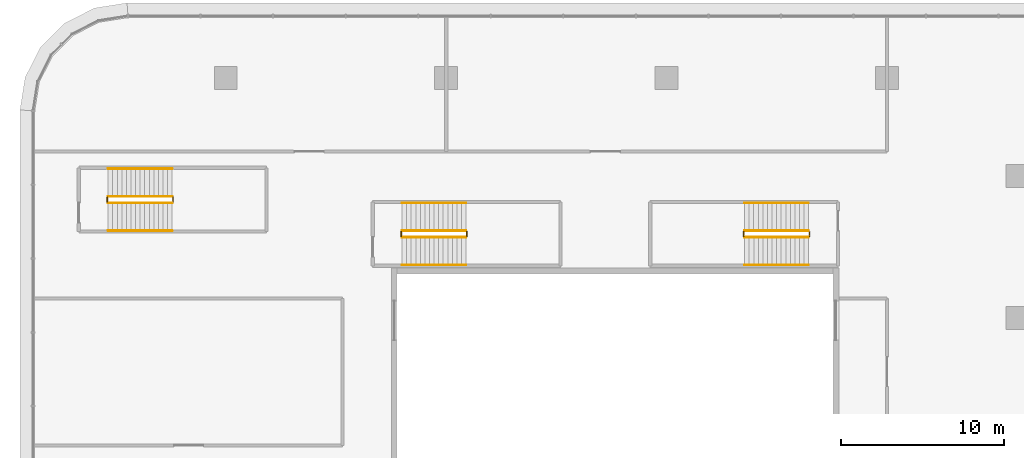
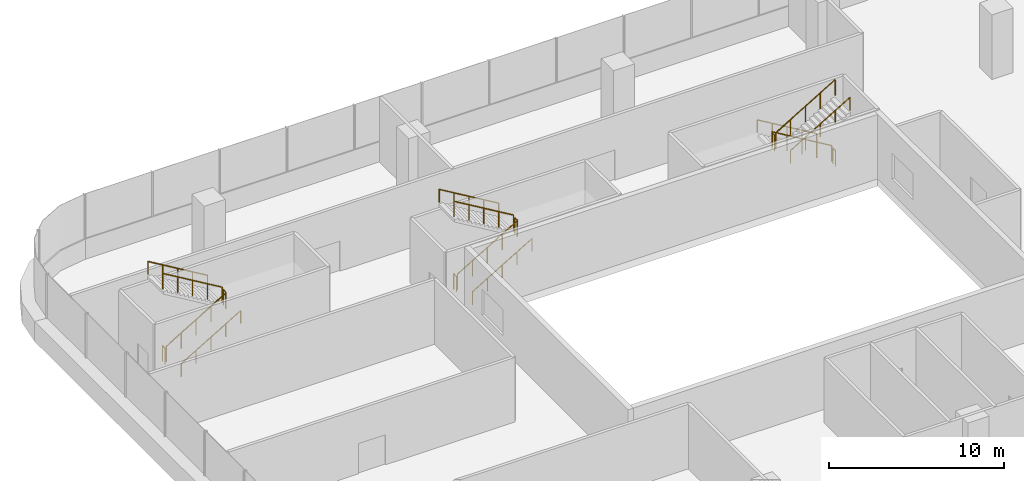
# One storey, part 42 of 44: 18 railings.
"""IFC4 building model written with IfcOpenShell, lengths in metres."""

from ifc_helpers import new_model, si_unit, direction, frame, origin, origin_2d, place, context, subcontext, project, spatial, circle, extrude, material, type_object, element, save


model = new_model("IFC4")

# Units and contexts
model_context = context("Model", 3, precision=1e-05, world=origin(), true_north=direction((0.0, 1.0)))
body_context = subcontext(model_context, "Body", "Model", "MODEL_VIEW")
ifc_project = project(units=[si_unit("LENGTHUNIT", "METRE"), si_unit("AREAUNIT", "SQUARE_METRE"), si_unit("VOLUMEUNIT", "CUBIC_METRE"), si_unit("PLANEANGLEUNIT", "RADIAN"), si_unit("MASSUNIT", "GRAM", prefix="KILO")], contexts=[model_context])

# Site, building, storey
site_placement = place(None, origin())
site = spatial("IfcSite", under=ifc_project, at=site_placement, CompositionType="ELEMENT")
building_placement = place(site_placement, origin())
building = spatial("IfcBuilding", under=site, at=building_placement, Name="Tamarind Cross Interchange Tower", CompositionType="ELEMENT")
storey_placement = place(building_placement, frame((0.0, 0.0, 15.0)))
storey = spatial("IfcBuildingStorey", under=building, at=storey_placement, Name="L02", CompositionType="ELEMENT", Elevation=15.0)

# Railings
ifc_material_1 = material(Name="Public stair guard")
railing_type_1 = type_object("IfcRailingType", Name="Public stair guard", PredefinedType="GUARDRAIL", material=ifc_material_1)
railing_1_placement = place(storey_placement, frame((-43.199951171875, 44.25, 0.166748046875)))
element("IfcRailing", 1, at=railing_1_placement, inside=storey, type_object=railing_type_1, Name="L02 XS-P04 stair guard 1", PredefinedType="GUARDRAIL", context=body_context, shape_type="SweptSolid", body=[
    extrude(circle(Radius=0.02392578125, at=origin_2d()), frame((0.0, 0.0, 1.076171875), z_axis=(0.859296244711, 0.0, 0.511478214419), x_axis=(0.0, 1.0, 0.0)), (0.0, 0.0, 1.0), 4.561767578125),
    extrude(circle(Radius=0.02099609375, at=origin_2d()), origin(), (0.0, 0.0, 1.0), 1.052001953125),
    extrude(circle(Radius=0.02099609375, at=origin_2d()), frame((0.97998046875, 0.0, 0.583251953125)), (0.0, 0.0, 1.0), 1.052001953125),
    extrude(circle(Radius=0.02099609375, at=origin_2d()), frame((1.9599609375, 0.0, 1.16650390625)), (0.0, 0.0, 1.0), 1.052001953125),
    extrude(circle(Radius=0.02099609375, at=origin_2d()), frame((2.93994140625, 0.0, 1.75)), (0.0, 0.0, 1.0), 1.052001953125),
    extrude(circle(Radius=0.02099609375, at=origin_2d()), frame((3.919921875, 0.0, 2.333251953125)), (0.0, 0.0, 1.0), 1.052001953125),
])
railing_2_placement = place(storey_placement, frame((-39.22998046875, 44.300048828125, 2.5)))
element("IfcRailing", 2, at=railing_2_placement, inside=storey, type_object=railing_type_1, Name="L02 XS-P04 stair guard 2", PredefinedType="GUARDRAIL", context=body_context, shape_type="SweptSolid", body=[
    extrude(circle(Radius=0.02392578125, at=origin_2d()), frame((0.0, 0.0, 1.076171875), z_axis=(0.0, 1.0, 0.0), x_axis=(-1.0, 0.0, 0.0)), (0.0, 0.0, 1.0), 0.300048828125),
    extrude(circle(Radius=0.02099609375, at=origin_2d()), origin(), (0.0, 0.0, 1.0), 1.052001953125),
    extrude(circle(Radius=0.02099609375, at=origin_2d()), frame((0.0, 0.300048828125, 0.0)), (0.0, 0.0, 1.0), 1.052001953125),
])
railing_3_placement = place(storey_placement, frame((-39.280029296875, 44.64990234375, 2.666748046875)))
element("IfcRailing", 3, at=railing_3_placement, inside=storey, type_object=railing_type_1, Name="L02 XS-P04 stair guard 3", PredefinedType="GUARDRAIL", context=body_context, shape_type="SweptSolid", body=[
    extrude(circle(Radius=0.02392578125, at=origin_2d()), frame((0.0, 0.0, 1.076171875), z_axis=(-0.859296244711, 0.0, 0.511478214419), x_axis=(0.0, -1.0, 0.0)), (0.0, 0.0, 1.0), 4.561767578125),
    extrude(circle(Radius=0.02099609375, at=origin_2d()), origin(), (0.0, 0.0, 1.0), 1.052001953125),
    extrude(circle(Radius=0.02099609375, at=origin_2d()), frame((-0.97998046875, 0.0, 0.583251953125)), (0.0, 0.0, 1.0), 1.052001953125),
    extrude(circle(Radius=0.02099609375, at=origin_2d()), frame((-1.9599609375, 0.0, 1.16650390625)), (0.0, 0.0, 1.0), 1.052001953125),
    extrude(circle(Radius=0.02099609375, at=origin_2d()), frame((-2.93994140625, 0.0, 1.75)), (0.0, 0.0, 1.0), 1.052001953125),
    extrude(circle(Radius=0.02099609375, at=origin_2d()), frame((-3.919921875, 0.0, 2.333251953125)), (0.0, 0.0, 1.0), 1.052001953125),
])
railing_4_placement = place(storey_placement, frame((-43.25, 44.300048828125, 0.0)))
element("IfcRailing", 4, at=railing_4_placement, inside=storey, type_object=railing_type_1, Name="L02 XS-P04 stair guard 4", PredefinedType="GUARDRAIL", context=body_context, shape_type="SweptSolid", body=[
    extrude(circle(Radius=0.02392578125, at=origin_2d()), frame((0.0, 0.0, 1.076171875), z_axis=(0.0, 1.0, 0.0), x_axis=(-1.0, 0.0, 0.0)), (0.0, 0.0, 1.0), 0.300048828125),
    extrude(circle(Radius=0.02099609375, at=origin_2d()), origin(), (0.0, 0.0, 1.0), 1.052001953125),
    extrude(circle(Radius=0.02099609375, at=origin_2d()), frame((0.0, 0.300048828125, 0.0)), (0.0, 0.0, 1.0), 1.052001953125),
])
railing_5_placement = place(storey_placement, frame((-61.199951171875, 46.35009765625, 0.166748046875)))
element("IfcRailing", 5, at=railing_5_placement, inside=storey, type_object=railing_type_1, Name="L02 XS-P05 stair guard 1", PredefinedType="GUARDRAIL", context=body_context, shape_type="SweptSolid", body=[
    extrude(circle(Radius=0.02392578125, at=origin_2d()), frame((0.0, 0.0, 1.076171875), z_axis=(0.859296244711, 0.0, 0.511478214419), x_axis=(0.0, 1.0, 0.0)), (0.0, 0.0, 1.0), 4.561767578125),
    extrude(circle(Radius=0.02099609375, at=origin_2d()), origin(), (0.0, 0.0, 1.0), 1.052001953125),
    extrude(circle(Radius=0.02099609375, at=origin_2d()), frame((0.97998046875, 0.0, 0.583251953125)), (0.0, 0.0, 1.0), 1.052001953125),
    extrude(circle(Radius=0.02099609375, at=origin_2d()), frame((1.9599609375, 0.0, 1.16650390625)), (0.0, 0.0, 1.0), 1.052001953125),
    extrude(circle(Radius=0.02099609375, at=origin_2d()), frame((2.93994140625, 0.0, 1.75)), (0.0, 0.0, 1.0), 1.052001953125),
    extrude(circle(Radius=0.02099609375, at=origin_2d()), frame((3.919921875, 0.0, 2.333251953125)), (0.0, 0.0, 1.0), 1.052001953125),
])
railing_6_placement = place(storey_placement, frame((-57.22998046875, 46.39990234375, 2.5)))
element("IfcRailing", 6, at=railing_6_placement, inside=storey, type_object=railing_type_1, Name="L02 XS-P05 stair guard 2", PredefinedType="GUARDRAIL", context=body_context, shape_type="SweptSolid", body=[
    extrude(circle(Radius=0.02392578125, at=origin_2d()), frame((0.0, 0.0, 1.076171875), z_axis=(0.0, 1.0, 0.0), x_axis=(-1.0, 0.0, 0.0)), (0.0, 0.0, 1.0), 0.300048828125),
    extrude(circle(Radius=0.02099609375, at=origin_2d()), origin(), (0.0, 0.0, 1.0), 1.052001953125),
    extrude(circle(Radius=0.02099609375, at=origin_2d()), frame((0.0, 0.300048828125, 0.0)), (0.0, 0.0, 1.0), 1.052001953125),
])
railing_7_placement = place(storey_placement, frame((-57.280029296875, 46.75, 2.666748046875)))
element("IfcRailing", 7, at=railing_7_placement, inside=storey, type_object=railing_type_1, Name="L02 XS-P05 stair guard 3", PredefinedType="GUARDRAIL", context=body_context, shape_type="SweptSolid", body=[
    extrude(circle(Radius=0.02392578125, at=origin_2d()), frame((0.0, 0.0, 1.076171875), z_axis=(-0.859296244711, 0.0, 0.511478214419), x_axis=(0.0, -1.0, 0.0)), (0.0, 0.0, 1.0), 4.561767578125),
    extrude(circle(Radius=0.02099609375, at=origin_2d()), origin(), (0.0, 0.0, 1.0), 1.052001953125),
    extrude(circle(Radius=0.02099609375, at=origin_2d()), frame((-0.97998046875, 0.0, 0.583251953125)), (0.0, 0.0, 1.0), 1.052001953125),
    extrude(circle(Radius=0.02099609375, at=origin_2d()), frame((-1.9599609375, 0.0, 1.16650390625)), (0.0, 0.0, 1.0), 1.052001953125),
    extrude(circle(Radius=0.02099609375, at=origin_2d()), frame((-2.93994140625, 0.0, 1.75)), (0.0, 0.0, 1.0), 1.052001953125),
    extrude(circle(Radius=0.02099609375, at=origin_2d()), frame((-3.919921875, 0.0, 2.333251953125)), (0.0, 0.0, 1.0), 1.052001953125),
])
railing_8_placement = place(storey_placement, frame((-61.25, 46.39990234375, 0.0)))
element("IfcRailing", 8, at=railing_8_placement, inside=storey, type_object=railing_type_1, Name="L02 XS-P05 stair guard 4", PredefinedType="GUARDRAIL", context=body_context, shape_type="SweptSolid", body=[
    extrude(circle(Radius=0.02392578125, at=origin_2d()), frame((0.0, 0.0, 1.076171875), z_axis=(0.0, 1.0, 0.0), x_axis=(-1.0, 0.0, 0.0)), (0.0, 0.0, 1.0), 0.300048828125),
    extrude(circle(Radius=0.02099609375, at=origin_2d()), origin(), (0.0, 0.0, 1.0), 1.052001953125),
    extrude(circle(Radius=0.02099609375, at=origin_2d()), frame((0.0, 0.300048828125, 0.0)), (0.0, 0.0, 1.0), 1.052001953125),
])
railing_9_placement = place(storey_placement, frame((-18.300048828125, 44.64990234375, 0.166748046875)))
element("IfcRailing", 9, at=railing_9_placement, inside=storey, type_object=railing_type_1, Name="L02 XS-P06 stair guard 1", PredefinedType="GUARDRAIL", context=body_context, shape_type="SweptSolid", body=[
    extrude(circle(Radius=0.02392578125, at=origin_2d()), frame((0.0, 0.0, 1.076171875), z_axis=(-0.859296244711, 0.0, 0.511478214419), x_axis=(0.0, -1.0, 0.0)), (0.0, 0.0, 1.0), 4.561767578125),
    extrude(circle(Radius=0.02099609375, at=origin_2d()), origin(), (0.0, 0.0, 1.0), 1.052001953125),
    extrude(circle(Radius=0.02099609375, at=origin_2d()), frame((-0.97998046875, 0.0, 0.583251953125)), (0.0, 0.0, 1.0), 1.052001953125),
    extrude(circle(Radius=0.02099609375, at=origin_2d()), frame((-1.9599609375, 0.0, 1.16650390625)), (0.0, 0.0, 1.0), 1.052001953125),
    extrude(circle(Radius=0.02099609375, at=origin_2d()), frame((-2.93994140625, 0.0, 1.75)), (0.0, 0.0, 1.0), 1.052001953125),
    extrude(circle(Radius=0.02099609375, at=origin_2d()), frame((-3.919921875, 0.0, 2.333251953125)), (0.0, 0.0, 1.0), 1.052001953125),
])
railing_10_placement = place(storey_placement, frame((-22.27001953125, 44.60009765625, 2.5)))
element("IfcRailing", 10, at=railing_10_placement, inside=storey, type_object=railing_type_1, Name="L02 XS-P06 stair guard 2", PredefinedType="GUARDRAIL", context=body_context, shape_type="SweptSolid", body=[
    extrude(circle(Radius=0.02392578125, at=origin_2d()), frame((0.0, 0.0, 1.076171875), z_axis=(0.0, -1.0, 0.0), x_axis=(1.0, 0.0, 0.0)), (0.0, 0.0, 1.0), 0.300048828125),
    extrude(circle(Radius=0.02099609375, at=origin_2d()), origin(), (0.0, 0.0, 1.0), 1.052001953125),
    extrude(circle(Radius=0.02099609375, at=origin_2d()), frame((0.0, -0.300048828125, 0.0)), (0.0, 0.0, 1.0), 1.052001953125),
])
railing_11_placement = place(storey_placement, frame((-22.219970703125, 44.25, 2.666748046875)))
element("IfcRailing", 11, at=railing_11_placement, inside=storey, type_object=railing_type_1, Name="L02 XS-P06 stair guard 3", PredefinedType="GUARDRAIL", context=body_context, shape_type="SweptSolid", body=[
    extrude(circle(Radius=0.02392578125, at=origin_2d()), frame((0.0, 0.0, 1.076171875), z_axis=(0.859296244711, 0.0, 0.511478214419), x_axis=(0.0, 1.0, 0.0)), (0.0, 0.0, 1.0), 4.561767578125),
    extrude(circle(Radius=0.02099609375, at=origin_2d()), origin(), (0.0, 0.0, 1.0), 1.052001953125),
    extrude(circle(Radius=0.02099609375, at=origin_2d()), frame((0.97998046875, 0.0, 0.583251953125)), (0.0, 0.0, 1.0), 1.052001953125),
    extrude(circle(Radius=0.02099609375, at=origin_2d()), frame((1.9599609375, 0.0, 1.16650390625)), (0.0, 0.0, 1.0), 1.052001953125),
    extrude(circle(Radius=0.02099609375, at=origin_2d()), frame((2.93994140625, 0.0, 1.75)), (0.0, 0.0, 1.0), 1.052001953125),
    extrude(circle(Radius=0.02099609375, at=origin_2d()), frame((3.919921875, 0.0, 2.333251953125)), (0.0, 0.0, 1.0), 1.052001953125),
])
railing_12_placement = place(storey_placement, frame((-18.25, 44.60009765625, 0.0)))
element("IfcRailing", 12, at=railing_12_placement, inside=storey, type_object=railing_type_1, Name="L02 XS-P06 stair guard 4", PredefinedType="GUARDRAIL", context=body_context, shape_type="SweptSolid", body=[
    extrude(circle(Radius=0.02392578125, at=origin_2d()), frame((0.0, 0.0, 1.076171875), z_axis=(0.0, -1.0, 0.0), x_axis=(1.0, 0.0, 0.0)), (0.0, 0.0, 1.0), 0.300048828125),
    extrude(circle(Radius=0.02099609375, at=origin_2d()), origin(), (0.0, 0.0, 1.0), 1.052001953125),
    extrude(circle(Radius=0.02099609375, at=origin_2d()), frame((0.0, -0.300048828125, 0.0)), (0.0, 0.0, 1.0), 1.052001953125),
])
ifc_material_2 = material(Name="Public stair handrail")
railing_type_2 = type_object("IfcRailingType", Name="Public stair handrail", PredefinedType="HANDRAIL", material=ifc_material_2)
railing_13_placement = place(storey_placement, frame((-43.199951171875, 42.550048828125, 0.166748046875)))
element("IfcRailing", 13, at=railing_13_placement, inside=storey, type_object=railing_type_2, Name="L02 XS-P04 stair handrail 1", PredefinedType="HANDRAIL", context=body_context, shape_type="SweptSolid", body=[
    extrude(circle(Radius=0.02392578125, at=origin_2d()), frame((0.0, 0.0, 0.8759765625), z_axis=(0.859296244711, 0.0, 0.511478214419), x_axis=(0.0, 1.0, 0.0)), (0.0, 0.0, 1.0), 4.561767578125),
    extrude(circle(Radius=0.02099609375, at=origin_2d()), origin(), (0.0, 0.0, 1.0), 0.851806640625),
    extrude(circle(Radius=0.02099609375, at=origin_2d()), frame((0.97998046875, 0.0, 0.583251953125)), (0.0, 0.0, 1.0), 0.851806640625),
    extrude(circle(Radius=0.02099609375, at=origin_2d()), frame((1.9599609375, 0.0, 1.16650390625)), (0.0, 0.0, 1.0), 0.851806640625),
    extrude(circle(Radius=0.02099609375, at=origin_2d()), frame((2.93994140625, 0.0, 1.75)), (0.0, 0.0, 1.0), 0.851806640625),
    extrude(circle(Radius=0.02099609375, at=origin_2d()), frame((3.919921875, 0.0, 2.333251953125)), (0.0, 0.0, 1.0), 0.851806640625),
])
railing_14_placement = place(storey_placement, frame((-39.280029296875, 46.35009765625, 2.666748046875)))
element("IfcRailing", 14, at=railing_14_placement, inside=storey, type_object=railing_type_2, Name="L02 XS-P04 stair handrail 2", PredefinedType="HANDRAIL", context=body_context, shape_type="SweptSolid", body=[
    extrude(circle(Radius=0.02392578125, at=origin_2d()), frame((0.0, 0.0, 0.8759765625), z_axis=(-0.859296244711, 0.0, 0.511478214419), x_axis=(0.0, -1.0, 0.0)), (0.0, 0.0, 1.0), 4.561767578125),
    extrude(circle(Radius=0.02099609375, at=origin_2d()), origin(), (0.0, 0.0, 1.0), 0.851806640625),
    extrude(circle(Radius=0.02099609375, at=origin_2d()), frame((-0.97998046875, 0.0, 0.583251953125)), (0.0, 0.0, 1.0), 0.851806640625),
    extrude(circle(Radius=0.02099609375, at=origin_2d()), frame((-1.9599609375, 0.0, 1.16650390625)), (0.0, 0.0, 1.0), 0.851806640625),
    extrude(circle(Radius=0.02099609375, at=origin_2d()), frame((-2.93994140625, 0.0, 1.75)), (0.0, 0.0, 1.0), 0.851806640625),
    extrude(circle(Radius=0.02099609375, at=origin_2d()), frame((-3.919921875, 0.0, 2.333251953125)), (0.0, 0.0, 1.0), 0.851806640625),
])
railing_15_placement = place(storey_placement, frame((-61.199951171875, 44.64990234375, 0.166748046875)))
element("IfcRailing", 15, at=railing_15_placement, inside=storey, type_object=railing_type_2, Name="L02 XS-P05 stair handrail 1", PredefinedType="HANDRAIL", context=body_context, shape_type="SweptSolid", body=[
    extrude(circle(Radius=0.02392578125, at=origin_2d()), frame((0.0, 0.0, 0.8759765625), z_axis=(0.859296244711, 0.0, 0.511478214419), x_axis=(0.0, 1.0, 0.0)), (0.0, 0.0, 1.0), 4.561767578125),
    extrude(circle(Radius=0.02099609375, at=origin_2d()), origin(), (0.0, 0.0, 1.0), 0.851806640625),
    extrude(circle(Radius=0.02099609375, at=origin_2d()), frame((0.97998046875, 0.0, 0.583251953125)), (0.0, 0.0, 1.0), 0.851806640625),
    extrude(circle(Radius=0.02099609375, at=origin_2d()), frame((1.9599609375, 0.0, 1.16650390625)), (0.0, 0.0, 1.0), 0.851806640625),
    extrude(circle(Radius=0.02099609375, at=origin_2d()), frame((2.93994140625, 0.0, 1.75)), (0.0, 0.0, 1.0), 0.851806640625),
    extrude(circle(Radius=0.02099609375, at=origin_2d()), frame((3.919921875, 0.0, 2.333251953125)), (0.0, 0.0, 1.0), 0.851806640625),
])
for number, where, name in (
    (16, (-57.280029296875, 48.449951171875, 2.666748046875), "L02 XS-P05 stair handrail 2"),
    (17, (-18.300048828125, 46.35009765625, 0.166748046875), "L02 XS-P06 stair handrail 1"),
):
    element("IfcRailing", number, at=place(storey_placement, frame(where)), inside=storey, type_object=railing_type_2, Name=name, PredefinedType="HANDRAIL", context=body_context, shape_type="SweptSolid", body=[
        extrude(circle(Radius=0.02392578125, at=origin_2d()), frame((0.0, 0.0, 0.8759765625), z_axis=(-0.859296244711, 0.0, 0.511478214419), x_axis=(0.0, -1.0, 0.0)), (0.0, 0.0, 1.0), 4.561767578125),
        extrude(circle(Radius=0.02099609375, at=origin_2d()), origin(), (0.0, 0.0, 1.0), 0.851806640625),
        extrude(circle(Radius=0.02099609375, at=origin_2d()), frame((-0.97998046875, 0.0, 0.583251953125)), (0.0, 0.0, 1.0), 0.851806640625),
        extrude(circle(Radius=0.02099609375, at=origin_2d()), frame((-1.9599609375, 0.0, 1.16650390625)), (0.0, 0.0, 1.0), 0.851806640625),
        extrude(circle(Radius=0.02099609375, at=origin_2d()), frame((-2.93994140625, 0.0, 1.75)), (0.0, 0.0, 1.0), 0.851806640625),
        extrude(circle(Radius=0.02099609375, at=origin_2d()), frame((-3.919921875, 0.0, 2.333251953125)), (0.0, 0.0, 1.0), 0.851806640625),
    ])
railing_16_placement = place(storey_placement, frame((-22.219970703125, 42.550048828125, 2.666748046875)))
element("IfcRailing", 18, at=railing_16_placement, inside=storey, type_object=railing_type_2, Name="L02 XS-P06 stair handrail 2", PredefinedType="HANDRAIL", context=body_context, shape_type="SweptSolid", body=[
    extrude(circle(Radius=0.02392578125, at=origin_2d()), frame((0.0, 0.0, 0.8759765625), z_axis=(0.859296244711, 0.0, 0.511478214419), x_axis=(0.0, 1.0, 0.0)), (0.0, 0.0, 1.0), 4.561767578125),
    extrude(circle(Radius=0.02099609375, at=origin_2d()), origin(), (0.0, 0.0, 1.0), 0.851806640625),
    extrude(circle(Radius=0.02099609375, at=origin_2d()), frame((0.97998046875, 0.0, 0.583251953125)), (0.0, 0.0, 1.0), 0.851806640625),
    extrude(circle(Radius=0.02099609375, at=origin_2d()), frame((1.9599609375, 0.0, 1.16650390625)), (0.0, 0.0, 1.0), 0.851806640625),
    extrude(circle(Radius=0.02099609375, at=origin_2d()), frame((2.93994140625, 0.0, 1.75)), (0.0, 0.0, 1.0), 0.851806640625),
    extrude(circle(Radius=0.02099609375, at=origin_2d()), frame((3.919921875, 0.0, 2.333251953125)), (0.0, 0.0, 1.0), 0.851806640625),
])

save(model, "model.ifc")
